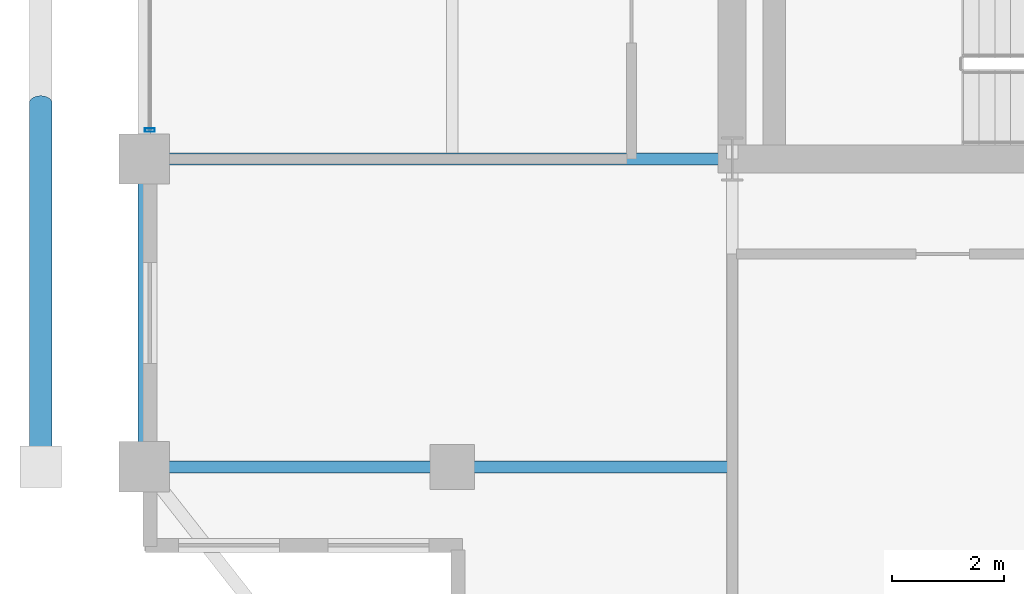
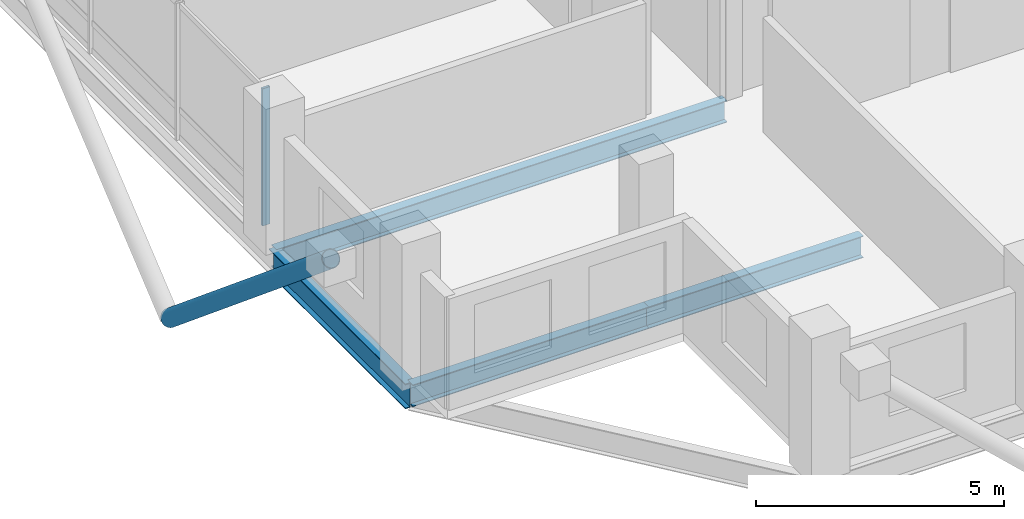
# One storey, part 3 of 22: 4 beams, 2 members, 1 element without a shape of its own.
"""IFC4 building model written with IfcOpenShell, lengths in metres."""

from ifc_helpers import new_model, si_unit, direction, frame, origin, origin_2d, place, context, subcontext, project, spatial, hollow_rectangle, hollow_circle, i_section, extrude, material, layer, layer_set, material_profile, profile_set, type_object, element, aggregate, save


model = new_model("IFC4")

# Units and contexts
model_context = context("Model", 3, precision=1e-05, world=origin(), true_north=direction((0.0, 1.0)))
body_context = subcontext(model_context, "Body", "Model", "MODEL_VIEW")
ifc_project = project(units=[si_unit("LENGTHUNIT", "METRE"), si_unit("AREAUNIT", "SQUARE_METRE"), si_unit("VOLUMEUNIT", "CUBIC_METRE"), si_unit("PLANEANGLEUNIT", "RADIAN"), si_unit("MASSUNIT", "GRAM", prefix="KILO")], contexts=[model_context])

# Site, building, storey
site_placement = place(None, origin())
site = spatial("IfcSite", under=ifc_project, at=site_placement, CompositionType="ELEMENT")
building_placement = place(site_placement, origin())
building = spatial("IfcBuilding", under=site, at=building_placement, Name="Barlavira Tower and Art Museum", CompositionType="ELEMENT")
storey_placement = place(building_placement, frame((0.0, 0.0, 269.10009765625)))
storey = spatial("IfcBuildingStorey", under=building, at=storey_placement, Name="L70", CompositionType="ELEMENT", Elevation=269.10009765625)

# Curtain wall, member
ifc_material_1 = material(Name="Low-iron coastal laminated glass", Category="glass")
ifc_layer = layer(ifc_material_1, 0.2099609375, Name="Low-iron coastal laminated glass")
ifc_layer_set = layer_set([ifc_layer], Name="Low-iron coastal laminated glass")
curtain_wall_type = type_object("IfcCurtainWallType", Name="Pale-Metal Unitised Curtain Wall Zone 4", PredefinedType="NOTDEFINED", material=ifc_layer_set)
curtain_wall_placement = place(storey_placement, origin())
curtain_wall = element("IfcCurtainWall", 1, at=curtain_wall_placement, inside=storey, type_object=curtain_wall_type, Name="L70 Curtain Wall CW4-L70-W-B3", PredefinedType="NOTDEFINED")
ifc_material_2 = material(Name="Pale anodised aluminium", Category="aluminium")
ifc_material_profile_1 = material_profile(ifc_material_2, hollow_rectangle(XDim=0.06494140625, YDim=0.179931640625, WallThickness=0.00390625, at=origin_2d()), Name="ALU-MULL 65x180x4")
ifc_profile_set_1 = profile_set([ifc_material_profile_1], Name="Pale anodised aluminium")
member_type_1 = type_object("IfcMemberType", Name="Curtain Wall Pale-Metal Mullion 65x180", PredefinedType="MULLION", material=ifc_profile_set_1)
member_1_placement = place(storey_placement, frame((-16.89990234375, -6.985107421875, 0.0), z_axis=(0.0, 0.0, 1.0), x_axis=(0.0, -1.0, 0.0)))
member_1 = element("IfcMember", 2, at=member_1_placement, type_object=member_type_1, Name="CW4-L70-W-B3 Mullion 4", PredefinedType="MULLION", context=body_context, shape_type="SweptSolid", body=[
    extrude(hollow_rectangle(XDim=0.06494140625, YDim=0.179931640625, WallThickness=0.00390625, at=origin_2d()), origin(), (0.0, 0.0, 1.0), 3.3798828125),
])
aggregate(curtain_wall, [member_1])

# Member
ifc_material_3 = material(Name="Steel S355", Category="steel")
ifc_material_profile_2 = material_profile(ifc_material_3, hollow_circle(Radius=0.203125, WallThickness=0.01611328125, at=origin_2d()), Name="CHS 406.4x16.0")
ifc_profile_set_2 = profile_set([ifc_material_profile_2], Name="Steel S355")
member_type_2 = type_object("IfcMemberType", Name="Pale-Metal Exoskeleton Diagrid Tube CHS 406x16 Steel S355", PredefinedType="BRACE", material=ifc_profile_set_2)
member_2_placement = place(storey_placement, frame((-18.85009765625, -6.5, -1.920166015625), z_axis=(0.0, -0.76918185268, 0.639029950399), x_axis=(1.0, 0.0, 0.0)))
element("IfcMember", 3, at=member_2_placement, inside=storey, type_object=member_type_2, Name="L70 Exoskeleton Diagrid Tube W", PredefinedType="BRACE", context=body_context, shape_type="SweptSolid", body=[
    extrude(hollow_circle(Radius=0.203125, WallThickness=0.01611328125, at=origin_2d()), origin(), (0.0, 0.0, 1.0), 8.450439453125),
])

# Beams
ifc_material_profile_3 = material_profile(ifc_material_3, i_section(OverallWidth=0.22998046875, OverallDepth=0.616943359375, WebThickness=0.01318359375, FlangeThickness=0.022216796875, at=origin_2d()), Name="W610x140.0")
ifc_profile_set_3 = profile_set([ifc_material_profile_3], Name="Steel S355")
beam_type_1 = type_object("IfcBeamType", Name="Upper Shaft Spandrel Edge Beam W610x140 Steel S355", PredefinedType="SPANDREL", material=ifc_profile_set_3)
beam_1_placement = place(storey_placement, frame((-17.0, -13.0, -0.528564453125), z_axis=(0.0, 1.0, 0.0), x_axis=(-1.0, 0.0, 0.0)))
element("IfcBeam", 4, at=beam_1_placement, inside=storey, type_object=beam_type_1, Name="L70 Spandrel 15", PredefinedType="SPANDREL", context=body_context, shape_type="SweptSolid", body=[
    extrude(i_section(OverallWidth=0.22998046875, OverallDepth=0.616943359375, WebThickness=0.01318359375, FlangeThickness=0.022216796875, at=origin_2d()), origin(), (0.0, 0.0, 1.0), 5.5),
])
ifc_material_profile_4 = material_profile(ifc_material_3, i_section(OverallWidth=0.2109375, OverallDepth=0.5390625, WebThickness=0.01171875, FlangeThickness=0.018798828125, at=origin_2d()), Name="W530x109.0")
ifc_profile_set_4 = profile_set([ifc_material_profile_4], Name="Steel S355")
beam_type_2 = type_object("IfcBeamType", Name="Zone 3-4 Primary Floor Girder W530x109 Steel S355", PredefinedType="BEAM", material=ifc_profile_set_4)
beam_2_placement = place(storey_placement, frame((-17.0, -7.5, -0.489501953125), z_axis=(1.0, 0.0, 0.0), x_axis=(0.0, 1.0, 0.0)))
element("IfcBeam", 5, at=beam_2_placement, inside=storey, type_object=beam_type_2, Name="L70 Girder R-W1", PredefinedType="BEAM", context=body_context, shape_type="SweptSolid", body=[
    extrude(i_section(OverallWidth=0.2109375, OverallDepth=0.5390625, WebThickness=0.01171875, FlangeThickness=0.018798828125, at=origin_2d()), origin(), (0.0, 0.0, 1.0), 10.5),
])
beam_3_placement = place(storey_placement, frame((-17.0, -13.0, -0.489501953125), z_axis=(1.0, 0.0, 0.0), x_axis=(0.0, 1.0, 0.0)))
element("IfcBeam", 6, at=beam_3_placement, inside=storey, type_object=beam_type_2, Name="L70 Girder I-S1", PredefinedType="BEAM", context=body_context, shape_type="SweptSolid", body=[
    extrude(i_section(OverallWidth=0.2109375, OverallDepth=0.5390625, WebThickness=0.01171875, FlangeThickness=0.018798828125, at=origin_2d()), origin(), (0.0, 0.0, 1.0), 5.5),
])
beam_4_placement = place(storey_placement, frame((-11.5, -13.0, -0.489501953125), z_axis=(1.0, 0.0, 0.0), x_axis=(0.0, 1.0, 0.0)))
element("IfcBeam", 7, at=beam_4_placement, inside=storey, type_object=beam_type_2, Name="L70 Girder I-S2", PredefinedType="BEAM", context=body_context, shape_type="SweptSolid", body=[
    extrude(i_section(OverallWidth=0.2109375, OverallDepth=0.5390625, WebThickness=0.01171875, FlangeThickness=0.018798828125, at=origin_2d()), origin(), (0.0, 0.0, 1.0), 5.0),
])

save(model, "model.ifc")
